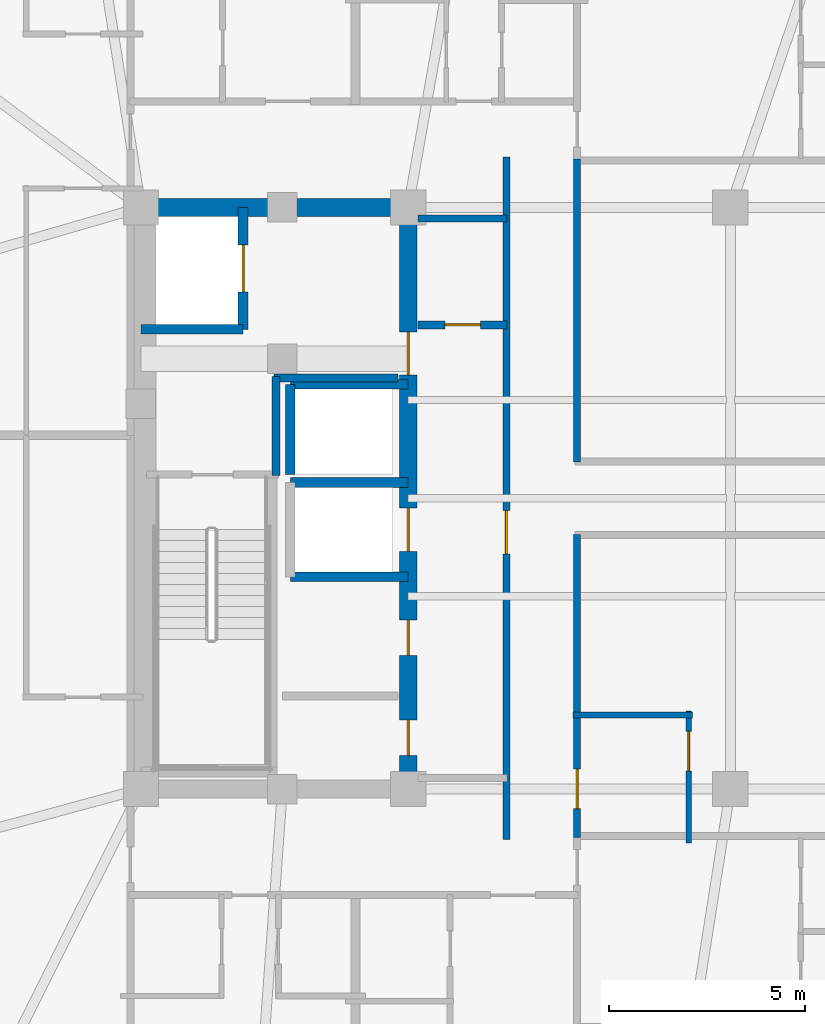
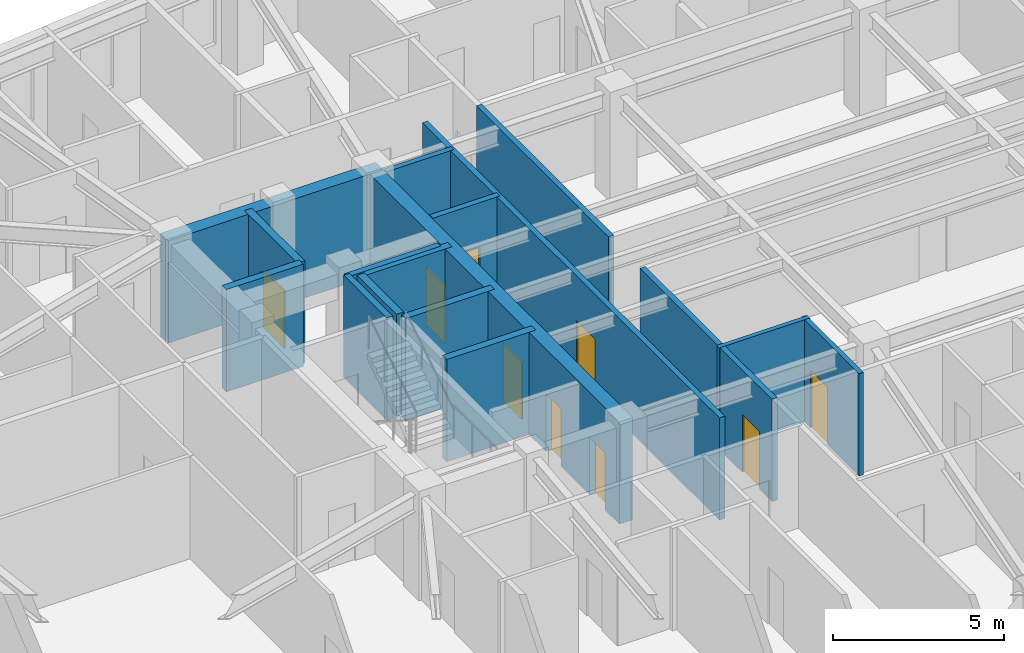
# One storey, part 4 of 12: 17 walls, 9 doors, 9 openings.
"""IFC4 building model written with IfcOpenShell, lengths in metres."""

from ifc_helpers import new_model, si_unit, direction, frame, frame_2d, origin, place, context, subcontext, project, spatial, rectangle, extrude, material, layer, layer_set, type_object, element, fill, save


model = new_model("IFC4")

# Units and contexts
model_context = context("Model", 3, precision=1e-05, world=origin(), true_north=direction((0.0, 1.0)))
body_context = subcontext(model_context, "Body", "Model", "MODEL_VIEW")
ifc_project = project(units=[si_unit("LENGTHUNIT", "METRE"), si_unit("AREAUNIT", "SQUARE_METRE"), si_unit("VOLUMEUNIT", "CUBIC_METRE"), si_unit("PLANEANGLEUNIT", "RADIAN"), si_unit("MASSUNIT", "GRAM", prefix="KILO")], contexts=[model_context])

# Site, building, storey
site_placement = place(None, origin())
site = spatial("IfcSite", under=ifc_project, at=site_placement, CompositionType="ELEMENT")
building_placement = place(site_placement, origin())
building = spatial("IfcBuilding", under=site, at=building_placement, Name="Voryun Gate Residences", CompositionType="ELEMENT")
storey_placement = place(building_placement, frame((0.0, 0.0, 167.699951171875)))
storey = spatial("IfcBuildingStorey", under=building, at=storey_placement, Name="L41", CompositionType="ELEMENT", Elevation=167.699951171875)

# Wall
ifc_material_1 = material(Name="Concrete C50/60", Category="concrete")
ifc_layer_1 = layer(ifc_material_1, 0.449951171875, Name="CW_CORE_450")
ifc_layer_set_1 = layer_set([ifc_layer_1], Name="Concrete C50/60")
wall_type_1 = type_object("IfcWallType", Name="CW_CORE_450", PredefinedType="SHEAR", material=ifc_layer_set_1)
wall_1_placement = place(storey_placement, frame((-19.425048828125, 7.39990234375, 0.0), z_axis=(0.0, 0.0, 1.0), x_axis=(1.0, 0.0, 0.0)))
element("IfcWall", 1, at=wall_1_placement, inside=storey, type_object=wall_type_1, Name="L41 Core shear wall CW-L41-WN", PredefinedType="SHEAR", context=body_context, shape_type="SweptSolid", body=[
    extrude(rectangle(XDim=7.25, YDim=0.449951171875, at=frame_2d((3.625, 0.0))), origin(), (0.0, 0.0, 1.0), 3.650146484375),
])

# Wall, openings, doors
wall_2_placement = place(storey_placement, frame((-12.39990234375, -7.39990234375, 0.0), z_axis=(0.0, 0.0, 1.0), x_axis=(0.0, 1.0, 0.0)))
wall_2 = element("IfcWall", 2, at=wall_2_placement, inside=storey, type_object=wall_type_1, Name="L41 Core shear wall CW-L41-WE", PredefinedType="SHEAR", context=body_context, shape_type="SweptSolid", body=[
    extrude(rectangle(XDim=14.7998046875, YDim=0.449951171875, at=frame_2d((7.39990234375, 0.0))), origin(), (0.0, 0.0, 1.0), 3.650146484375),
])
opening_1_placement = place(wall_2_placement, frame((6.050048828125, 0.0, 0.0)))
opening_1 = element("IfcOpeningElement", 3, at=opening_1_placement, cuts=wall_2, Name="Opening LD2", PredefinedType="OPENING", context=body_context, shape_type="SweptSolid", body=[
    extrude(rectangle(XDim=1.10009765625, YDim=2.050048828125, at=frame_2d((0.550048828125, 1.02490234375))), frame((0.0, 0.235107421875, 0.0), z_axis=(0.0, -1.0, 0.0), x_axis=(1.0, 0.0, 0.0)), (0.0, 0.0, 1.0), 0.469970703125),
])
opening_2_placement = place(wall_2_placement, frame((10.530029296875, 0.0, 0.0)))
opening_2 = element("IfcOpeningElement", 4, at=opening_2_placement, cuts=wall_2, Name="Opening D-FD60-2", PredefinedType="OPENING", context=body_context, shape_type="SweptSolid", body=[
    extrude(rectangle(XDim=1.10009765625, YDim=2.050048828125, at=frame_2d((0.550048828125, 1.02490234375))), frame((0.0, 0.235107421875, 0.0), z_axis=(0.0, -1.0, 0.0), x_axis=(1.0, 0.0, 0.0)), (0.0, 0.0, 1.0), 0.469970703125),
])
opening_3_placement = place(wall_2_placement, frame((0.85009765625, 0.0, 0.0)))
opening_3 = element("IfcOpeningElement", 5, at=opening_3_placement, cuts=wall_2, Name="Opening D-FD60-4", PredefinedType="OPENING", context=body_context, shape_type="SweptSolid", body=[
    extrude(rectangle(XDim=0.89990234375, YDim=2.050048828125, at=frame_2d((0.449951171875, 1.02490234375))), frame((0.0, 0.235107421875, 0.0), z_axis=(0.0, -1.0, 0.0), x_axis=(1.0, 0.0, 0.0)), (0.0, 0.0, 1.0), 0.469970703125),
])
opening_4_placement = place(wall_2_placement, frame((3.39990234375, 0.0, 0.0)))
opening_4 = element("IfcOpeningElement", 6, at=opening_4_placement, cuts=wall_2, Name="Opening D-FD60-4", PredefinedType="OPENING", context=body_context, shape_type="SweptSolid", body=[
    extrude(rectangle(XDim=0.89990234375, YDim=2.050048828125, at=frame_2d((0.449951171875, 1.02490234375))), frame((0.0, 0.235107421875, 0.0), z_axis=(0.0, -1.0, 0.0), x_axis=(1.0, 0.0, 0.0)), (0.0, 0.0, 1.0), 0.469970703125),
])
ifc_material_2 = material(Name="Painted steel fire door", Category="steel")
door_type_1 = type_object("IfcDoorType", Name="DR_FD60_FFLOB_1100", OperationType="NOTDEFINED", PredefinedType="DOOR", material=ifc_material_2)
door_1_placement = place(opening_2_placement, origin())
door_1 = element("IfcDoor", 7, at=door_1_placement, inside=storey, type_object=door_type_1, Name="Door DR-L41-CLOB-W", OperationType="SINGLE_SWING_LEFT", OverallHeight=2.050048828125, OverallWidth=1.10009765625, PredefinedType="DOOR", context=body_context, shape_type="SweptSolid", body=[
    extrude(rectangle(XDim=1.10009765625, YDim=2.050048828125, at=frame_2d((0.550048828125, 1.02490234375))), frame((0.0, 0.02490234375, 0.0), z_axis=(0.0, -1.0, 0.0), x_axis=(1.0, 0.0, 0.0)), (0.0, 0.0, 1.0), 0.050048828125),
])
fill(opening_2, door_1)
ifc_material_3 = material(Name="Painted steel fire door", Category="steel")
door_type_2 = type_object("IfcDoorType", Name="DR_FD60_RISER_900", OperationType="NOTDEFINED", PredefinedType="DOOR", material=ifc_material_3)
door_2_placement = place(opening_3_placement, origin())
door_2 = element("IfcDoor", 8, at=door_2_placement, inside=storey, type_object=door_type_2, Name="Door DR-L41-RECWB1", OperationType="SINGLE_SWING_LEFT", OverallHeight=2.050048828125, OverallWidth=0.89990234375, PredefinedType="DOOR", context=body_context, shape_type="SweptSolid", body=[
    extrude(rectangle(XDim=0.89990234375, YDim=2.050048828125, at=frame_2d((0.449951171875, 1.02490234375))), frame((0.0, 0.02490234375, 0.0), z_axis=(0.0, -1.0, 0.0), x_axis=(1.0, 0.0, 0.0)), (0.0, 0.0, 1.0), 0.050048828125),
])
fill(opening_3, door_2)
door_3_placement = place(opening_4_placement, origin())
door_3 = element("IfcDoor", 9, at=door_3_placement, inside=storey, type_object=door_type_2, Name="Door DR-L41-RECWB2", OperationType="SINGLE_SWING_RIGHT", OverallHeight=2.050048828125, OverallWidth=0.89990234375, PredefinedType="DOOR", context=body_context, shape_type="SweptSolid", body=[
    extrude(rectangle(XDim=0.89990234375, YDim=2.050048828125, at=frame_2d((0.449951171875, 1.02490234375))), frame((0.0, 0.02490234375, 0.0), z_axis=(0.0, -1.0, 0.0), x_axis=(1.0, 0.0, 0.0)), (0.0, 0.0, 1.0), 0.050048828125),
])
fill(opening_4, door_3)
ifc_material_4 = material(Name="Anodised aluminium", Category="aluminium")
door_type_3 = type_object("IfcDoorType", Name="DR_LD_PASS_1100", OperationType="NOTDEFINED", PredefinedType="DOOR", material=ifc_material_4)
door_4_placement = place(opening_1_placement, origin())
door_4 = element("IfcDoor", 10, at=door_4_placement, inside=storey, type_object=door_type_3, Name="Lift EL-P4 sliding landing door L41", OperationType="SLIDING_TO_LEFT", OverallHeight=2.050048828125, OverallWidth=1.10009765625, PredefinedType="DOOR", context=body_context, shape_type="SweptSolid", body=[
    extrude(rectangle(XDim=1.10009765625, YDim=2.050048828125, at=frame_2d((0.550048828125, 1.02490234375))), frame((0.0, 0.02490234375, 0.0), z_axis=(0.0, -1.0, 0.0), x_axis=(1.0, 0.0, 0.0)), (0.0, 0.0, 1.0), 0.050048828125),
])
fill(opening_1, door_4)

# Wall
ifc_material_5 = material(Name="Gypsum acoustic fireboard")
ifc_layer_2 = layer(ifc_material_5, 0.179931640625, Name="W_CORR_RATED_180")
ifc_layer_set_2 = layer_set([ifc_layer_2], Name="Gypsum acoustic fireboard")
wall_type_2 = type_object("IfcWallType", Name="W_CORR_RATED_180", PredefinedType="PARTITIONING", material=ifc_layer_set_2)
wall_3_placement = place(storey_placement, frame((-12.14990234375, 7.1201171875, 0.0), z_axis=(0.0, 0.0, 1.0), x_axis=(1.0, 0.0, 0.0)))
element("IfcWall", 11, at=wall_3_placement, inside=storey, type_object=wall_type_2, Name="Partition wall WP-L41-PLBN-W", PredefinedType="PARTITIONING", context=body_context, shape_type="SweptSolid", body=[
    extrude(rectangle(XDim=2.27001953125, YDim=0.179931640625, at=frame_2d((1.135009765625, 0.0))), origin(), (0.0, 0.0, 1.0), 3.650146484375),
])

# Wall, opening, door
wall_4_placement = place(storey_placement, frame((-9.89990234375, -8.679931640625, 0.0), z_axis=(0.0, 0.0, 1.0), x_axis=(0.0, 1.0, 0.0)))
wall_4 = element("IfcWall", 12, at=wall_4_placement, inside=storey, type_object=wall_type_2, Name="Partition wall WP-L41-PLBW-FULL", PredefinedType="PARTITIONING", context=body_context, shape_type="SweptSolid", body=[
    extrude(rectangle(XDim=17.35986328125, YDim=0.179931640625, at=frame_2d((8.679931640625, 0.0))), origin(), (0.0, 0.0, 1.0), 3.650146484375),
])
opening_5_placement = place(wall_4_placement, frame((7.261962890625, 0.0, 0.0)))
opening_5 = element("IfcOpeningElement", 13, at=opening_5_placement, cuts=wall_4, Name="Opening D-FD60-2", PredefinedType="OPENING", context=body_context, shape_type="SweptSolid", body=[
    extrude(rectangle(XDim=1.10009765625, YDim=2.050048828125, at=frame_2d((0.550048828125, 1.02490234375))), frame((0.0, 0.099853515625, 0.0), z_axis=(0.0, -1.0, 0.0), x_axis=(1.0, 0.0, 0.0)), (0.0, 0.0, 1.0), 0.199951171875),
])
door_5_placement = place(opening_5_placement, origin())
door_5 = element("IfcDoor", 14, at=door_5_placement, inside=storey, type_object=door_type_1, Name="Door DR-L41-PLBW-COR", OperationType="SINGLE_SWING_LEFT", OverallHeight=2.050048828125, OverallWidth=1.10009765625, PredefinedType="DOOR", context=body_context, shape_type="SweptSolid", body=[
    extrude(rectangle(XDim=1.10009765625, YDim=2.050048828125, at=frame_2d((0.550048828125, 1.02490234375))), frame((0.0, 0.02490234375, 0.0), z_axis=(0.0, -1.0, 0.0), x_axis=(1.0, 0.0, 0.0)), (0.0, 0.0, 1.0), 0.050048828125),
])
fill(opening_5, door_5)

# Wall
wall_5_placement = place(storey_placement, frame((-8.10009765625, 0.919921875, 0.0), z_axis=(0.0, 0.0, 1.0), x_axis=(0.0, 1.0, 0.0)))
element("IfcWall", 15, at=wall_5_placement, inside=storey, type_object=wall_type_2, Name="Partition wall WP-L41-Z2WL1", PredefinedType="PARTITIONING", context=body_context, shape_type="SweptSolid", body=[
    extrude(rectangle(XDim=7.7099609375, YDim=0.179931640625, at=frame_2d((3.85498046875, 0.0))), origin(), (0.0, 0.0, 1.0), 3.650146484375),
])

# Wall, opening, door
wall_6_placement = place(storey_placement, frame((-8.10009765625, -8.6298828125, 0.0), z_axis=(0.0, 0.0, 1.0), x_axis=(0.0, 1.0, 0.0)))
wall_6 = element("IfcWall", 16, at=wall_6_placement, inside=storey, type_object=wall_type_2, Name="Partition wall WP-L41-Z2WL2", PredefinedType="PARTITIONING", context=body_context, shape_type="SweptSolid", body=[
    extrude(rectangle(XDim=7.7099609375, YDim=0.179931640625, at=frame_2d((3.85498046875, 0.0))), origin(), (0.0, 0.0, 1.0), 3.650146484375),
])
opening_6_placement = place(wall_6_placement, frame((0.733642578125, 0.0, 0.0)))
opening_6 = element("IfcOpeningElement", 17, at=opening_6_placement, cuts=wall_6, Name="Opening D-AWC-1", PredefinedType="OPENING", context=body_context, shape_type="SweptSolid", body=[
    extrude(rectangle(XDim=1.0, YDim=2.050048828125, at=frame_2d((0.5, 1.02490234375))), frame((0.0, 0.099853515625, 0.0), z_axis=(0.0, -1.0, 0.0), x_axis=(1.0, 0.0, 0.0)), (0.0, 0.0, 1.0), 0.199951171875),
])
ifc_material_6 = material(Name="Architectural oak veneer")
door_type_4 = type_object("IfcDoorType", Name="DR_ACC_WC_1000", OperationType="NOTDEFINED", PredefinedType="DOOR", material=ifc_material_6)
door_6_placement = place(opening_6_placement, origin())
door_6 = element("IfcDoor", 18, at=door_6_placement, inside=storey, type_object=door_type_4, Name="Door DR-L41-CMWC-D", OperationType="SINGLE_SWING_LEFT", OverallHeight=2.050048828125, OverallWidth=1.0, PredefinedType="DOOR", context=body_context, shape_type="SweptSolid", body=[
    extrude(rectangle(XDim=1.0, YDim=2.050048828125, at=frame_2d((0.5, 1.02490234375))), frame((0.0, 0.02490234375, 0.0), z_axis=(0.0, -1.0, 0.0), x_axis=(1.0, 0.0, 0.0)), (0.0, 0.0, 1.0), 0.050048828125),
])
fill(opening_6, door_6)

# Walls
ifc_material_7 = material(Name="Concrete C40/50", Category="concrete")
ifc_layer_3 = layer(ifc_material_7, 0.199951171875, Name="W_FF_LOBBY_200")
ifc_layer_set_3 = layer_set([ifc_layer_3], Name="Concrete C40/50")
wall_type_3 = type_object("IfcWallType", Name="W_FF_LOBBY_200", PredefinedType="PARTITIONING", material=ifc_layer_set_3)
wall_7_placement = place(storey_placement, frame((-15.760009765625, 0.580078125, 0.0), z_axis=(0.0, 0.0, 1.0), x_axis=(0.0, 1.0, 0.0)))
element("IfcWall", 19, at=wall_7_placement, inside=storey, type_object=wall_type_3, Name="Partition wall WP-L41-FFP0-W", PredefinedType="PARTITIONING", context=body_context, shape_type="SweptSolid", body=[
    extrude(rectangle(XDim=2.52001953125, YDim=0.199951171875, at=frame_2d((1.260009765625, 0.0))), origin(), (0.0, 0.0, 1.0), 3.650146484375),
])
wall_8_placement = place(storey_placement, frame((-15.820068359375, 3.06005859375, 0.0), z_axis=(0.0, 0.0, 1.0), x_axis=(1.0, 0.0, 0.0)))
element("IfcWall", 20, at=wall_8_placement, inside=storey, type_object=wall_type_3, Name="Partition wall WP-L41-FFPS-W", PredefinedType="PARTITIONING", context=body_context, shape_type="SweptSolid", body=[
    extrude(rectangle(XDim=3.16015625, YDim=0.199951171875, at=frame_2d((1.580078125, 0.0))), origin(), (0.0, 0.0, 1.0), 3.650146484375),
])

# Wall, opening, door
wall_9_placement = place(storey_placement, frame((-12.14990234375, 4.409912109375, 0.0), z_axis=(0.0, 0.0, 1.0), x_axis=(1.0, 0.0, 0.0)))
wall_9 = element("IfcWall", 21, at=wall_9_placement, inside=storey, type_object=wall_type_3, Name="Partition wall WP-L41-CSFLKS-W", PredefinedType="PARTITIONING", context=body_context, shape_type="SweptSolid", body=[
    extrude(rectangle(XDim=2.27001953125, YDim=0.199951171875, at=frame_2d((1.135009765625, 0.0))), origin(), (0.0, 0.0, 1.0), 3.650146484375),
])
opening_7_placement = place(wall_9_placement, frame((0.68505859375, 0.0, 0.0)))
opening_7 = element("IfcOpeningElement", 22, at=opening_7_placement, cuts=wall_9, Name="Opening D-FD60-4", PredefinedType="OPENING", context=body_context, shape_type="SweptSolid", body=[
    extrude(rectangle(XDim=0.89990234375, YDim=2.050048828125, at=frame_2d((0.449951171875, 1.02490234375))), frame((0.0, 0.110107421875, 0.0), z_axis=(0.0, -1.0, 0.0), x_axis=(1.0, 0.0, 0.0)), (0.0, 0.0, 1.0), 0.219970703125),
])
door_7_placement = place(opening_7_placement, origin())
door_7 = element("IfcDoor", 23, at=door_7_placement, inside=storey, type_object=door_type_2, Name="Door DR-L41-CSFLK-W", OperationType="SINGLE_SWING_LEFT", OverallHeight=2.050048828125, OverallWidth=0.89990234375, PredefinedType="DOOR", context=body_context, shape_type="SweptSolid", body=[
    extrude(rectangle(XDim=0.89990234375, YDim=2.050048828125, at=frame_2d((0.449951171875, 1.02490234375))), frame((0.0, 0.02490234375, 0.0), z_axis=(0.0, -1.0, 0.0), x_axis=(1.0, 0.0, 0.0)), (0.0, 0.0, 1.0), 0.050048828125),
])
fill(opening_7, door_7)

# Wall
ifc_material_8 = material(Name="Concrete C50/60", Category="concrete")
ifc_layer_4 = layer(ifc_material_8, 0.25, Name="W_SHAFT_RC250")
ifc_layer_set_4 = layer_set([ifc_layer_4], Name="Concrete C50/60")
wall_type_4 = type_object("IfcWallType", Name="W_SHAFT_RC250", PredefinedType="SOLIDWALL", material=ifc_layer_set_4)
wall_10_placement = place(storey_placement, frame((-19.199951171875, 4.300048828125, 0.0), z_axis=(0.0, 0.0, 1.0), x_axis=(1.0, 0.0, 0.0)))
element("IfcWall", 24, at=wall_10_placement, inside=storey, type_object=wall_type_4, Name="Lift shaft wall WSH-L41-EL-FF-W1-S", PredefinedType="SOLIDWALL", context=body_context, shape_type="SweptSolid", body=[
    extrude(rectangle(XDim=2.599853515625, YDim=0.25, at=frame_2d((1.2998046875, 0.0))), origin(), (0.0, 0.0, 1.0), 3.650146484375),
])

# Wall, opening, door
wall_11_placement = place(storey_placement, frame((-16.60009765625, 4.300048828125, 0.0), z_axis=(0.0, 0.0, 1.0), x_axis=(0.0, 1.0, 0.0)))
wall_11 = element("IfcWall", 25, at=wall_11_placement, inside=storey, type_object=wall_type_4, Name="Lift shaft wall WSH-L41-EL-FF-W1-E", PredefinedType="SOLIDWALL", context=body_context, shape_type="SweptSolid", body=[
    extrude(rectangle(XDim=3.099853515625, YDim=0.25, at=frame_2d((1.5498046875, 0.0))), origin(), (0.0, 0.0, 1.0), 3.650146484375),
])
opening_8_placement = place(wall_11_placement, frame((0.949951171875, 0.0, 0.0)))
opening_8 = element("IfcOpeningElement", 26, at=opening_8_placement, cuts=wall_11, Name="Opening LD1", PredefinedType="OPENING", context=body_context, shape_type="SweptSolid", body=[
    extrude(rectangle(XDim=1.199951171875, YDim=2.050048828125, at=frame_2d((0.60009765625, 1.02490234375))), frame((0.0, 0.135009765625, 0.0), z_axis=(0.0, -1.0, 0.0), x_axis=(1.0, 0.0, 0.0)), (0.0, 0.0, 1.0), 0.27001953125),
])
ifc_material_9 = material(Name="Anodised aluminium", Category="aluminium")
door_type_5 = type_object("IfcDoorType", Name="DR_LD_FF_1200", OperationType="NOTDEFINED", PredefinedType="DOOR", material=ifc_material_9)
door_8_placement = place(opening_8_placement, origin())
door_8 = element("IfcDoor", 27, at=door_8_placement, inside=storey, type_object=door_type_5, Name="Lift EL-FF-W1 sliding landing door L41", OperationType="SLIDING_TO_LEFT", OverallHeight=2.050048828125, OverallWidth=1.199951171875, PredefinedType="DOOR", context=body_context, shape_type="SweptSolid", body=[
    extrude(rectangle(XDim=1.199951171875, YDim=2.050048828125, at=frame_2d((0.60009765625, 1.02490234375))), frame((0.0, 0.02490234375, 0.0), z_axis=(0.0, -1.0, 0.0), x_axis=(1.0, 0.0, 0.0)), (0.0, 0.0, 1.0), 0.050048828125),
])
fill(opening_8, door_8)

# Walls
for number, where, z_axis, x_axis, name in (
    (28, (-15.39990234375, -2.0, 0.0), (0.0, 0.0, 1.0), (1.0, 0.0, 0.0), "Lift shaft wall WSH-L41-EL-P4-S"),
    (29, (-12.39990234375, 0.39990234375, 0.0), (0.0, 0.0, 1.0), (-1.0, 0.0, 0.0), "Lift shaft wall WSH-L41-EL-P4-N"),
    (30, (-12.39990234375, 2.89990234375, 0.0), (0.0, 0.0, 1.0), (-1.0, 0.0, 0.0), "Lift shaft wall WSH-L41-EL-P7-N"),
):
    element("IfcWall", number, at=place(storey_placement, frame(where, z_axis=z_axis, x_axis=x_axis)), inside=storey, type_object=wall_type_4, Name=name, PredefinedType="SOLIDWALL", context=body_context, shape_type="SweptSolid", body=[
        extrude(rectangle(XDim=3.0, YDim=0.25, at=frame_2d((1.5, 0.0))), origin(), (0.0, 0.0, 1.0), 3.650146484375),
    ])
wall_12_placement = place(storey_placement, frame((-15.39990234375, 2.89990234375, 0.0), z_axis=(0.0, 0.0, 1.0), x_axis=(0.0, -1.0, 0.0)))
element("IfcWall", 31, at=wall_12_placement, inside=storey, type_object=wall_type_4, Name="Lift shaft wall WSH-L41-EL-P7-W", PredefinedType="SOLIDWALL", context=body_context, shape_type="SweptSolid", body=[
    extrude(rectangle(XDim=2.2998046875, YDim=0.25, at=frame_2d((1.14990234375, 0.0))), origin(), (0.0, 0.0, 1.0), 3.650146484375),
])

# Wall, opening, door
ifc_material_10 = material(Name="Gypsum moisture-resistant partition")
ifc_layer_5 = layer(ifc_material_10, 0.14990234375, Name="W_WET_PLUMB_150")
ifc_layer_set_5 = layer_set([ifc_layer_5], Name="Gypsum moisture-resistant partition")
wall_type_5 = type_object("IfcWallType", Name="W_WET_PLUMB_150", PredefinedType="PLUMBINGWALL", material=ifc_layer_set_5)
wall_13_placement = place(storey_placement, frame((-5.260009765625, -8.77001953125, 0.0), z_axis=(0.0, 0.0, 1.0), x_axis=(0.0, 1.0, 0.0)))
wall_13 = element("IfcWall", 32, at=wall_13_placement, inside=storey, type_object=wall_type_5, Name="Partition wall WP-L41-CMWCX", PredefinedType="PLUMBINGWALL", context=body_context, shape_type="SweptSolid", body=[
    extrude(rectangle(XDim=3.35009765625, YDim=0.14990234375, at=frame_2d((1.675048828125, 0.0))), origin(), (0.0, 0.0, 1.0), 3.650146484375),
])
opening_9_placement = place(wall_13_placement, frame((1.8349609375, 0.0, 0.0)))
opening_9 = element("IfcOpeningElement", 33, at=opening_9_placement, cuts=wall_13, Name="Opening D-AWC-1", PredefinedType="OPENING", context=body_context, shape_type="SweptSolid", body=[
    extrude(rectangle(XDim=1.0, YDim=2.050048828125, at=frame_2d((0.5, 1.02490234375))), frame((0.0, 0.0849609375, 0.0), z_axis=(0.0, -1.0, 0.0), x_axis=(1.0, 0.0, 0.0)), (0.0, 0.0, 1.0), 0.169921875),
])
door_9_placement = place(opening_9_placement, origin())
door_9 = element("IfcDoor", 34, at=door_9_placement, inside=storey, type_object=door_type_4, Name="Door DR-L41-CMWC", OperationType="SINGLE_SWING_LEFT", OverallHeight=2.050048828125, OverallWidth=1.0, PredefinedType="DOOR", context=body_context, shape_type="SweptSolid", body=[
    extrude(rectangle(XDim=1.0, YDim=2.050048828125, at=frame_2d((0.5, 1.02490234375))), frame((0.0, 0.02490234375, 0.0), z_axis=(0.0, -1.0, 0.0), x_axis=(1.0, 0.0, 0.0)), (0.0, 0.0, 1.0), 0.050048828125),
])
fill(opening_9, door_9)

# Wall
wall_14_placement = place(storey_placement, frame((-8.2099609375, -5.52001953125, 0.0), z_axis=(0.0, 0.0, 1.0), x_axis=(1.0, 0.0, 0.0)))
element("IfcWall", 35, at=wall_14_placement, inside=storey, type_object=wall_type_5, Name="Partition wall WP-L41-CMWCY", PredefinedType="PLUMBINGWALL", context=body_context, shape_type="SweptSolid", body=[
    extrude(rectangle(XDim=3.050048828125, YDim=0.14990234375, at=frame_2d((1.52490234375, 0.0))), origin(), (0.0, 0.0, 1.0), 3.650146484375),
])

save(model, "model.ifc")
